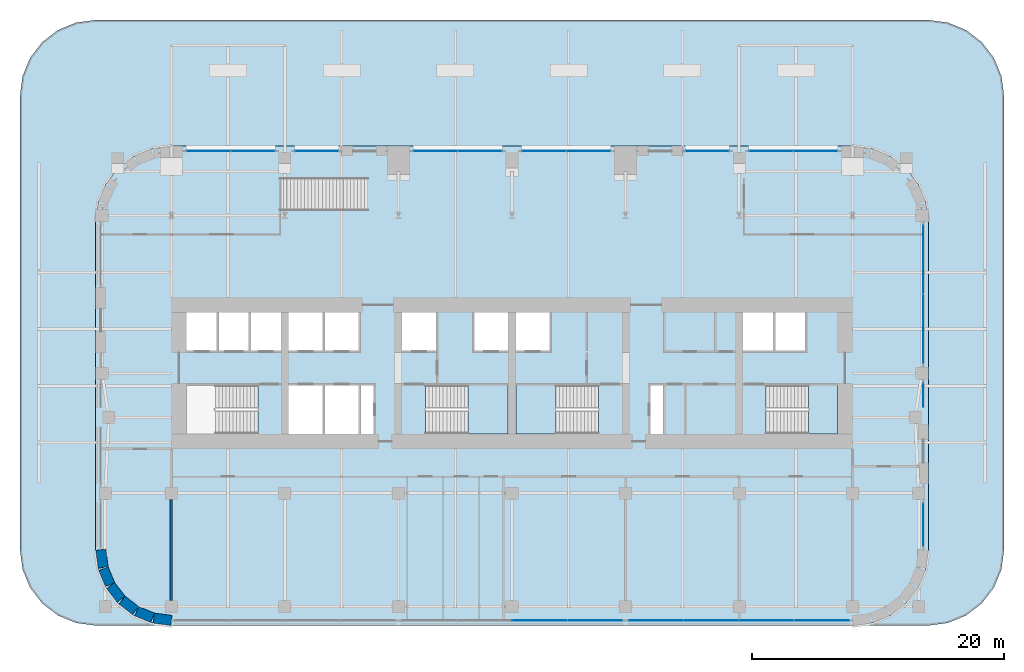
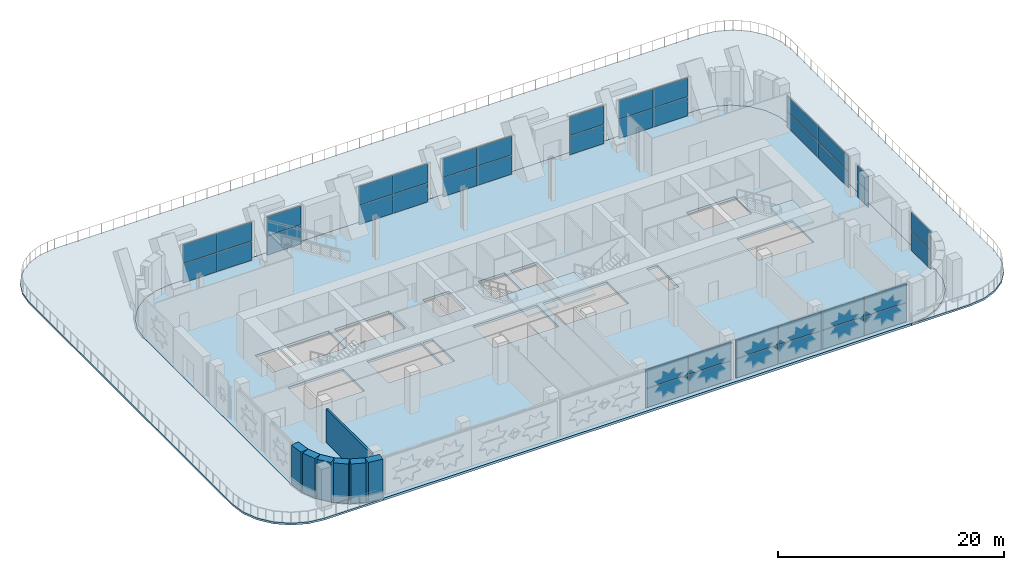
# One storey, part 13 of 26: 40 plates, 7 walls, 5 slabs, 14 elements without a shape of their own.
"""IFC4 building model written with IfcOpenShell, lengths in metres."""

from ifc_helpers import new_model, si_unit, direction, frame, frame_2d, origin, origin_2d, place, context, subcontext, project, spatial, polyline, rectangle, outline, extrude, material, layer, layer_set, type_object, element, aggregate, save


model = new_model("IFC4")

# Units and contexts
model_context = context("Model", 3, precision=1e-05, world=origin(), true_north=direction((0.0, 1.0)))
body_context = subcontext(model_context, "Body", "Model", "MODEL_VIEW")
ifc_project = project(units=[si_unit("LENGTHUNIT", "METRE"), si_unit("AREAUNIT", "SQUARE_METRE"), si_unit("VOLUMEUNIT", "CUBIC_METRE"), si_unit("PLANEANGLEUNIT", "RADIAN"), si_unit("MASSUNIT", "GRAM", prefix="KILO")], contexts=[model_context])

# Site, building, storey
site_placement = place(None, origin())
site = spatial("IfcSite", under=ifc_project, at=site_placement, CompositionType="ELEMENT")
building_placement = place(site_placement, origin())
building = spatial("IfcBuilding", under=site, at=building_placement, Name="Zellij Exchange Tower", CompositionType="ELEMENT")
storey_placement = place(building_placement, frame((0.0, 0.0, 39.0)))
storey = spatial("IfcBuildingStorey", under=building, at=storey_placement, Name="L06", CompositionType="ELEMENT", Elevation=39.0)

# Stair, slab
ifc_material_1 = material(Name="Concrete C40/50", Category="concrete")
stair_type = type_object("IfcStairType", Name="CORE-ST exit stair 1850 wide", PredefinedType="HALF_TURN_STAIR", material=ifc_material_1)
stair_1_placement = place(storey_placement, origin())
stair_1 = element("IfcStair", 1, at=stair_1_placement, inside=storey, type_object=stair_type, Name="L06 exit stair ST2", PredefinedType="HALF_TURN_STAIR")
ifc_layer_1 = layer(ifc_material_1, 0.199951171875)
ifc_layer_set_1 = layer_set([ifc_layer_1], Name="Concrete C40/50")
slab_type_1 = type_object("IfcSlabType", Name="CORE-SL stair landing 200", PredefinedType="LANDING", material=ifc_layer_set_1)
slab_1_placement = place(storey_placement, frame((0.0, 0.0, 2.050048828125)))
slab_1 = element("IfcSlab", 2, at=slab_1_placement, type_object=slab_type_1, Name="ST2 landing 1", PredefinedType="LANDING", context=body_context, shape_type="SweptSolid", body=[
    extrude(outline(polyline([(-3.489990234375, -12.800048828125), (-0.300048828125, -12.800048828125), (-0.300048828125, -8.949951171875), (-3.489990234375, -8.949951171875), (-3.489990234375, -12.800048828125)])), origin(), (0.0, 0.0, 1.0), 0.199951171875),
])
aggregate(stair_1, [slab_1])

stair_2_placement = place(storey_placement, origin())
stair_2 = element("IfcStair", 3, at=stair_2_placement, inside=storey, type_object=stair_type, Name="L06 exit stair ST3", PredefinedType="HALF_TURN_STAIR")
slab_2_placement = place(storey_placement, frame((0.0, 0.0, 2.050048828125)))
slab_2 = element("IfcSlab", 4, at=slab_2_placement, type_object=slab_type_1, Name="ST3 landing 1", PredefinedType="LANDING", context=body_context, shape_type="SweptSolid", body=[
    extrude(outline(polyline([(3.489990234375, -8.949951171875), (0.300048828125, -8.949951171875), (0.300048828125, -12.800048828125), (3.489990234375, -12.800048828125), (3.489990234375, -8.949951171875)])), origin(), (0.0, 0.0, 1.0), 0.199951171875),
])
aggregate(stair_2, [slab_2])

stair_3_placement = place(storey_placement, origin())
stair_3 = element("IfcStair", 5, at=stair_3_placement, inside=storey, type_object=stair_type, Name="L06 exit stair ST4", PredefinedType="HALF_TURN_STAIR")
slab_3_placement = place(storey_placement, frame((0.0, 0.0, 2.050048828125)))
slab_3 = element("IfcSlab", 6, at=slab_3_placement, type_object=slab_type_1, Name="ST4 landing 1", PredefinedType="LANDING", context=body_context, shape_type="SweptSolid", body=[
    extrude(outline(polyline([(23.510009765625, -12.800048828125), (25.800048828125, -12.800048828125), (25.800048828125, -8.949951171875), (23.510009765625, -8.949951171875), (23.510009765625, -12.800048828125)])), origin(), (0.0, 0.0, 1.0), 0.199951171875),
])
aggregate(stair_3, [slab_3])

# Curtain wall, plates
ifc_material_2 = material(Name="Aluminium frame, clear insulating glass", Category="aluminium")
curtain_wall_type = type_object("IfcCurtainWallType", Name="ENV-CW1 Sky-garden glazing", PredefinedType="NOTDEFINED", material=ifc_material_2)
curtain_wall_1_placement = place(storey_placement, origin())
curtain_wall_1 = element("IfcCurtainWall", 7, at=curtain_wall_1_placement, inside=storey, type_object=curtain_wall_type, Name="cw.L06.00b", PredefinedType="NOTDEFINED")
ifc_material_3 = material(Name="Insulating glass unit, clear", Category="glass")
ifc_layer_2 = layer(ifc_material_3, 0.031982421875)
ifc_layer_set_2 = layer_set([ifc_layer_2], Name="Insulating glass unit, clear")
plate_type = type_object("IfcPlateType", Name="ENV-CW1P Glazed panel 32", PredefinedType="CURTAIN_PANEL", material=ifc_layer_set_2)
plate_1_placement = place(storey_placement, frame((2.199951171875, -27.60009765625, 0.06005859375), z_axis=(0.0, 0.0, 1.0), x_axis=(1.0, 0.0, 0.0)))
plate_1 = element("IfcPlate", 8, at=plate_1_placement, type_object=plate_type, Name="CW1 panel 3.1", PredefinedType="CURTAIN_PANEL", context=body_context, shape_type="SweptSolid", body=[
    extrude(rectangle(XDim=4.340087890625, YDim=0.031982421875, at=origin_2d()), origin(), (0.0, 0.0, 1.0), 2.034912109375),
])
plate_2_placement = place(storey_placement, frame((2.199951171875, -27.60009765625, 2.1552734375), z_axis=(0.0, 0.0, 1.0), x_axis=(1.0, 0.0, 0.0)))
plate_2 = element("IfcPlate", 9, at=plate_2_placement, type_object=plate_type, Name="CW1 panel 3.2", PredefinedType="CURTAIN_PANEL", context=body_context, shape_type="SweptSolid", body=[
    extrude(rectangle(XDim=4.340087890625, YDim=0.031982421875, at=origin_2d()), origin(), (0.0, 0.0, 1.0), 2.034912109375),
])
plate_3_placement = place(storey_placement, frame((6.5849609375, -27.60009765625, 0.06005859375), z_axis=(0.0, 0.0, 1.0), x_axis=(1.0, 0.0, 0.0)))
plate_3 = element("IfcPlate", 10, at=plate_3_placement, type_object=plate_type, Name="CW1 panel 4.1", PredefinedType="CURTAIN_PANEL", context=body_context, shape_type="SweptSolid", body=[
    extrude(rectangle(XDim=4.31005859375, YDim=0.031982421875, at=origin_2d()), origin(), (0.0, 0.0, 1.0), 2.034912109375),
])
plate_4_placement = place(storey_placement, frame((6.5849609375, -27.60009765625, 2.1552734375), z_axis=(0.0, 0.0, 1.0), x_axis=(1.0, 0.0, 0.0)))
plate_4 = element("IfcPlate", 11, at=plate_4_placement, type_object=plate_type, Name="CW1 panel 4.2", PredefinedType="CURTAIN_PANEL", context=body_context, shape_type="SweptSolid", body=[
    extrude(rectangle(XDim=4.31005859375, YDim=0.031982421875, at=origin_2d()), origin(), (0.0, 0.0, 1.0), 2.034912109375),
])
aggregate(curtain_wall_1, [plate_1, plate_2, plate_3, plate_4])

curtain_wall_2_placement = place(storey_placement, origin())
curtain_wall_2 = element("IfcCurtainWall", 12, at=curtain_wall_2_placement, inside=storey, type_object=curtain_wall_type, Name="cw.L06.00c", PredefinedType="NOTDEFINED")
plate_5_placement = place(storey_placement, frame((11.41162109375, -27.60009765625, 0.06005859375), z_axis=(0.0, 0.0, 1.0), x_axis=(1.0, 0.0, 0.0)))
plate_5 = element("IfcPlate", 13, at=plate_5_placement, type_object=plate_type, Name="CW1 panel 1.1", PredefinedType="CURTAIN_PANEL", context=body_context, shape_type="SweptSolid", body=[
    extrude(rectangle(XDim=4.303466796875, YDim=0.031982421875, at=origin_2d()), origin(), (0.0, 0.0, 1.0), 2.034912109375),
])
plate_6_placement = place(storey_placement, frame((11.41162109375, -27.60009765625, 2.1552734375), z_axis=(0.0, 0.0, 1.0), x_axis=(1.0, 0.0, 0.0)))
plate_6 = element("IfcPlate", 14, at=plate_6_placement, type_object=plate_type, Name="CW1 panel 1.2", PredefinedType="CURTAIN_PANEL", context=body_context, shape_type="SweptSolid", body=[
    extrude(rectangle(XDim=4.303466796875, YDim=0.031982421875, at=origin_2d()), origin(), (0.0, 0.0, 1.0), 2.034912109375),
])
plate_7_placement = place(storey_placement, frame((15.790283203125, -27.60009765625, 0.06005859375), z_axis=(0.0, 0.0, 1.0), x_axis=(1.0, 0.0, 0.0)))
plate_7 = element("IfcPlate", 15, at=plate_7_placement, type_object=plate_type, Name="CW1 panel 2.1", PredefinedType="CURTAIN_PANEL", context=body_context, shape_type="SweptSolid", body=[
    extrude(rectangle(XDim=4.33349609375, YDim=0.031982421875, at=origin_2d()), origin(), (0.0, 0.0, 1.0), 2.034912109375),
])
plate_8_placement = place(storey_placement, frame((15.790283203125, -27.60009765625, 2.1552734375), z_axis=(0.0, 0.0, 1.0), x_axis=(1.0, 0.0, 0.0)))
plate_8 = element("IfcPlate", 16, at=plate_8_placement, type_object=plate_type, Name="CW1 panel 2.2", PredefinedType="CURTAIN_PANEL", context=body_context, shape_type="SweptSolid", body=[
    extrude(rectangle(XDim=4.33349609375, YDim=0.031982421875, at=origin_2d()), origin(), (0.0, 0.0, 1.0), 2.034912109375),
])
plate_9_placement = place(storey_placement, frame((20.18359375, -27.60009765625, 0.06005859375), z_axis=(0.0, 0.0, 1.0), x_axis=(1.0, 0.0, 0.0)))
plate_9 = element("IfcPlate", 17, at=plate_9_placement, type_object=plate_type, Name="CW1 panel 3.1", PredefinedType="CURTAIN_PANEL", context=body_context, shape_type="SweptSolid", body=[
    extrude(rectangle(XDim=4.33349609375, YDim=0.031982421875, at=origin_2d()), origin(), (0.0, 0.0, 1.0), 2.034912109375),
])
plate_10_placement = place(storey_placement, frame((20.18359375, -27.60009765625, 2.1552734375), z_axis=(0.0, 0.0, 1.0), x_axis=(1.0, 0.0, 0.0)))
plate_10 = element("IfcPlate", 18, at=plate_10_placement, type_object=plate_type, Name="CW1 panel 3.2", PredefinedType="CURTAIN_PANEL", context=body_context, shape_type="SweptSolid", body=[
    extrude(rectangle(XDim=4.33349609375, YDim=0.031982421875, at=origin_2d()), origin(), (0.0, 0.0, 1.0), 2.034912109375),
])
plate_11_placement = place(storey_placement, frame((24.56201171875, -27.60009765625, 0.06005859375), z_axis=(0.0, 0.0, 1.0), x_axis=(1.0, 0.0, 0.0)))
plate_11 = element("IfcPlate", 19, at=plate_11_placement, type_object=plate_type, Name="CW1 panel 4.1", PredefinedType="CURTAIN_PANEL", context=body_context, shape_type="SweptSolid", body=[
    extrude(rectangle(XDim=4.303466796875, YDim=0.031982421875, at=origin_2d()), origin(), (0.0, 0.0, 1.0), 2.034912109375),
])
plate_12_placement = place(storey_placement, frame((24.56201171875, -27.60009765625, 2.1552734375), z_axis=(0.0, 0.0, 1.0), x_axis=(1.0, 0.0, 0.0)))
plate_12 = element("IfcPlate", 20, at=plate_12_placement, type_object=plate_type, Name="CW1 panel 4.2", PredefinedType="CURTAIN_PANEL", context=body_context, shape_type="SweptSolid", body=[
    extrude(rectangle(XDim=4.303466796875, YDim=0.031982421875, at=origin_2d()), origin(), (0.0, 0.0, 1.0), 2.034912109375),
])
aggregate(curtain_wall_2, [plate_5, plate_6, plate_7, plate_8, plate_9, plate_10, plate_11, plate_12])

curtain_wall_3_placement = place(storey_placement, origin())
curtain_wall_3 = element("IfcCurtainWall", 21, at=curtain_wall_3_placement, inside=storey, type_object=curtain_wall_type, Name="cw.L06.07a", PredefinedType="NOTDEFINED")
plate_13_placement = place(storey_placement, frame((32.60009765625, -20.011962890625, 0.06005859375), z_axis=(0.0, 0.0, 1.0), x_axis=(0.0, 1.0, 0.0)))
plate_13 = element("IfcPlate", 22, at=plate_13_placement, type_object=plate_type, Name="CW1 panel 1.1", PredefinedType="CURTAIN_PANEL", context=body_context, shape_type="SweptSolid", body=[
    extrude(rectangle(XDim=3.40380859375, YDim=0.031982421875, at=origin_2d()), origin(), (0.0, 0.0, 1.0), 2.034912109375),
])
plate_14_placement = place(storey_placement, frame((32.60009765625, -20.011962890625, 2.1552734375), z_axis=(0.0, 0.0, 1.0), x_axis=(0.0, 1.0, 0.0)))
plate_14 = element("IfcPlate", 23, at=plate_14_placement, type_object=plate_type, Name="CW1 panel 1.2", PredefinedType="CURTAIN_PANEL", context=body_context, shape_type="SweptSolid", body=[
    extrude(rectangle(XDim=3.40380859375, YDim=0.031982421875, at=origin_2d()), origin(), (0.0, 0.0, 1.0), 2.034912109375),
])
aggregate(curtain_wall_3, [plate_13, plate_14])

curtain_wall_4_placement = place(storey_placement, origin())
curtain_wall_4 = element("IfcCurtainWall", 24, at=curtain_wall_4_placement, inside=storey, type_object=curtain_wall_type, Name="cw.L06.07c", PredefinedType="NOTDEFINED")
plate_15_placement = place(storey_placement, frame((32.60009765625, -9.75, 0.06005859375), z_axis=(0.0, 0.0, 1.0), x_axis=(0.0, 1.0, 0.0)))
plate_15 = element("IfcPlate", 25, at=plate_15_placement, type_object=plate_type, Name="CW1 panel 1.1", PredefinedType="CURTAIN_PANEL", context=body_context, shape_type="SweptSolid", body=[
    extrude(rectangle(XDim=1.8798828125, YDim=0.031982421875, at=origin_2d()), origin(), (0.0, 0.0, 1.0), 1.69091796875),
])
plate_16_placement = place(storey_placement, frame((32.60009765625, -9.75, 1.810791015625), z_axis=(0.0, 0.0, 1.0), x_axis=(0.0, 1.0, 0.0)))
plate_16 = element("IfcPlate", 26, at=plate_16_placement, type_object=plate_type, Name="CW1 panel 1.2", PredefinedType="CURTAIN_PANEL", context=body_context, shape_type="SweptSolid", body=[
    extrude(rectangle(XDim=1.8798828125, YDim=0.031982421875, at=origin_2d()), origin(), (0.0, 0.0, 1.0), 1.69091796875),
])
aggregate(curtain_wall_4, [plate_15, plate_16])

curtain_wall_5_placement = place(storey_placement, origin())
curtain_wall_5 = element("IfcCurtainWall", 27, at=curtain_wall_5_placement, inside=storey, type_object=curtain_wall_type, Name="cw.L06.07d", PredefinedType="NOTDEFINED")
plate_17_placement = place(storey_placement, frame((32.60009765625, -4.47900390625, 0.06005859375), z_axis=(0.0, 0.0, 1.0), x_axis=(0.0, 1.0, 0.0)))
plate_17 = element("IfcPlate", 28, at=plate_17_placement, type_object=plate_type, Name="CW1 panel 1.1", PredefinedType="CURTAIN_PANEL", context=body_context, shape_type="SweptSolid", body=[
    extrude(rectangle(XDim=5.421875, YDim=0.031982421875, at=origin_2d()), origin(), (0.0, 0.0, 1.0), 1.69091796875),
])
plate_18_placement = place(storey_placement, frame((32.60009765625, -4.47900390625, 1.810791015625), z_axis=(0.0, 0.0, 1.0), x_axis=(0.0, 1.0, 0.0)))
plate_18 = element("IfcPlate", 29, at=plate_18_placement, type_object=plate_type, Name="CW1 panel 1.2", PredefinedType="CURTAIN_PANEL", context=body_context, shape_type="SweptSolid", body=[
    extrude(rectangle(XDim=5.421875, YDim=0.031982421875, at=origin_2d()), origin(), (0.0, 0.0, 1.0), 1.69091796875),
])
plate_19_placement = place(storey_placement, frame((32.60009765625, 1.0029296875, 0.06005859375), z_axis=(0.0, 0.0, 1.0), x_axis=(0.0, 1.0, 0.0)))
plate_19 = element("IfcPlate", 30, at=plate_19_placement, type_object=plate_type, Name="CW1 panel 2.1", PredefinedType="CURTAIN_PANEL", context=body_context, shape_type="SweptSolid", body=[
    extrude(rectangle(XDim=5.421875, YDim=0.031982421875, at=origin_2d()), origin(), (0.0, 0.0, 1.0), 1.69091796875),
])
plate_20_placement = place(storey_placement, frame((32.60009765625, 1.0029296875, 1.810791015625), z_axis=(0.0, 0.0, 1.0), x_axis=(0.0, 1.0, 0.0)))
plate_20 = element("IfcPlate", 31, at=plate_20_placement, type_object=plate_type, Name="CW1 panel 2.2", PredefinedType="CURTAIN_PANEL", context=body_context, shape_type="SweptSolid", body=[
    extrude(rectangle(XDim=5.421875, YDim=0.031982421875, at=origin_2d()), origin(), (0.0, 0.0, 1.0), 1.69091796875),
])
aggregate(curtain_wall_5, [plate_17, plate_18, plate_19, plate_20])

curtain_wall_6_placement = place(storey_placement, origin())
curtain_wall_6 = element("IfcCurtainWall", 32, at=curtain_wall_6_placement, inside=storey, type_object=curtain_wall_type, Name="cw.L06.14a", PredefinedType="NOTDEFINED")
plate_21_placement = place(storey_placement, frame((24.06005859375, 9.60009765625, 0.06005859375), z_axis=(0.0, 0.0, 1.0), x_axis=(-1.0, 0.0, 0.0)))
plate_21 = element("IfcPlate", 33, at=plate_21_placement, type_object=plate_type, Name="CW1 panel 1.1", PredefinedType="CURTAIN_PANEL", context=body_context, shape_type="SweptSolid", body=[
    extrude(rectangle(XDim=3.4599609375, YDim=0.031982421875, at=origin_2d()), origin(), (0.0, 0.0, 1.0), 2.034912109375),
])
plate_22_placement = place(storey_placement, frame((24.06005859375, 9.60009765625, 2.1552734375), z_axis=(0.0, 0.0, 1.0), x_axis=(-1.0, 0.0, 0.0)))
plate_22 = element("IfcPlate", 34, at=plate_22_placement, type_object=plate_type, Name="CW1 panel 1.2", PredefinedType="CURTAIN_PANEL", context=body_context, shape_type="SweptSolid", body=[
    extrude(rectangle(XDim=3.4599609375, YDim=0.031982421875, at=origin_2d()), origin(), (0.0, 0.0, 1.0), 2.034912109375),
])
plate_23_placement = place(storey_placement, frame((20.5400390625, 9.60009765625, 0.06005859375), z_axis=(0.0, 0.0, 1.0), x_axis=(-1.0, 0.0, 0.0)))
plate_23 = element("IfcPlate", 35, at=plate_23_placement, type_object=plate_type, Name="CW1 panel 2.1", PredefinedType="CURTAIN_PANEL", context=body_context, shape_type="SweptSolid", body=[
    extrude(rectangle(XDim=3.4599609375, YDim=0.031982421875, at=origin_2d()), origin(), (0.0, 0.0, 1.0), 2.034912109375),
])
plate_24_placement = place(storey_placement, frame((20.5400390625, 9.60009765625, 2.1552734375), z_axis=(0.0, 0.0, 1.0), x_axis=(-1.0, 0.0, 0.0)))
plate_24 = element("IfcPlate", 36, at=plate_24_placement, type_object=plate_type, Name="CW1 panel 2.2", PredefinedType="CURTAIN_PANEL", context=body_context, shape_type="SweptSolid", body=[
    extrude(rectangle(XDim=3.4599609375, YDim=0.031982421875, at=origin_2d()), origin(), (0.0, 0.0, 1.0), 2.034912109375),
])
aggregate(curtain_wall_6, [plate_21, plate_22, plate_23, plate_24])

curtain_wall_7_placement = place(storey_placement, origin())
curtain_wall_7 = element("IfcCurtainWall", 37, at=curtain_wall_7_placement, inside=storey, type_object=curtain_wall_type, Name="cw.L06.14b", PredefinedType="NOTDEFINED")
plate_25_placement = place(storey_placement, frame((15.47509765625, 9.60009765625, 0.06005859375), z_axis=(0.0, 0.0, 1.0), x_axis=(-1.0, 0.0, 0.0)))
plate_25 = element("IfcPlate", 38, at=plate_25_placement, type_object=plate_type, Name="CW1 panel 1.1", PredefinedType="CURTAIN_PANEL", context=body_context, shape_type="SweptSolid", body=[
    extrude(rectangle(XDim=3.429931640625, YDim=0.031982421875, at=origin_2d()), origin(), (0.0, 0.0, 1.0), 2.034912109375),
])
plate_26_placement = place(storey_placement, frame((15.47509765625, 9.60009765625, 2.1552734375), z_axis=(0.0, 0.0, 1.0), x_axis=(-1.0, 0.0, 0.0)))
plate_26 = element("IfcPlate", 39, at=plate_26_placement, type_object=plate_type, Name="CW1 panel 1.2", PredefinedType="CURTAIN_PANEL", context=body_context, shape_type="SweptSolid", body=[
    extrude(rectangle(XDim=3.429931640625, YDim=0.031982421875, at=origin_2d()), origin(), (0.0, 0.0, 1.0), 2.034912109375),
])
aggregate(curtain_wall_7, [plate_25, plate_26])

curtain_wall_8_placement = place(storey_placement, origin())
curtain_wall_8 = element("IfcCurtainWall", 40, at=curtain_wall_8_placement, inside=storey, type_object=curtain_wall_type, Name="cw.L06.14d", PredefinedType="NOTDEFINED")
plate_27_placement = place(storey_placement, frame((6.06005859375, 9.60009765625, 0.06005859375), z_axis=(0.0, 0.0, 1.0), x_axis=(-1.0, 0.0, 0.0)))
plate_27 = element("IfcPlate", 41, at=plate_27_placement, type_object=plate_type, Name="CW1 panel 1.1", PredefinedType="CURTAIN_PANEL", context=body_context, shape_type="SweptSolid", body=[
    extrude(rectangle(XDim=3.4599609375, YDim=0.031982421875, at=origin_2d()), origin(), (0.0, 0.0, 1.0), 2.034912109375),
])
plate_28_placement = place(storey_placement, frame((6.06005859375, 9.60009765625, 2.1552734375), z_axis=(0.0, 0.0, 1.0), x_axis=(-1.0, 0.0, 0.0)))
plate_28 = element("IfcPlate", 42, at=plate_28_placement, type_object=plate_type, Name="CW1 panel 1.2", PredefinedType="CURTAIN_PANEL", context=body_context, shape_type="SweptSolid", body=[
    extrude(rectangle(XDim=3.4599609375, YDim=0.031982421875, at=origin_2d()), origin(), (0.0, 0.0, 1.0), 2.034912109375),
])
plate_29_placement = place(storey_placement, frame((2.5400390625, 9.60009765625, 0.06005859375), z_axis=(0.0, 0.0, 1.0), x_axis=(-1.0, 0.0, 0.0)))
plate_29 = element("IfcPlate", 43, at=plate_29_placement, type_object=plate_type, Name="CW1 panel 2.1", PredefinedType="CURTAIN_PANEL", context=body_context, shape_type="SweptSolid", body=[
    extrude(rectangle(XDim=3.4599609375, YDim=0.031982421875, at=origin_2d()), origin(), (0.0, 0.0, 1.0), 2.034912109375),
])
plate_30_placement = place(storey_placement, frame((2.5400390625, 9.60009765625, 2.1552734375), z_axis=(0.0, 0.0, 1.0), x_axis=(-1.0, 0.0, 0.0)))
plate_30 = element("IfcPlate", 44, at=plate_30_placement, type_object=plate_type, Name="CW1 panel 2.2", PredefinedType="CURTAIN_PANEL", context=body_context, shape_type="SweptSolid", body=[
    extrude(rectangle(XDim=3.4599609375, YDim=0.031982421875, at=origin_2d()), origin(), (0.0, 0.0, 1.0), 2.034912109375),
])
aggregate(curtain_wall_8, [plate_27, plate_28, plate_29, plate_30])

curtain_wall_9_placement = place(storey_placement, origin())
curtain_wall_9 = element("IfcCurtainWall", 45, at=curtain_wall_9_placement, inside=storey, type_object=curtain_wall_type, Name="cw.L06.14e", PredefinedType="NOTDEFINED")
plate_31_placement = place(storey_placement, frame((-2.5400390625, 9.60009765625, 0.06005859375), z_axis=(0.0, 0.0, 1.0), x_axis=(-1.0, 0.0, 0.0)))
plate_31 = element("IfcPlate", 46, at=plate_31_placement, type_object=plate_type, Name="CW1 panel 1.1", PredefinedType="CURTAIN_PANEL", context=body_context, shape_type="SweptSolid", body=[
    extrude(rectangle(XDim=3.4599609375, YDim=0.031982421875, at=origin_2d()), origin(), (0.0, 0.0, 1.0), 2.034912109375),
])
plate_32_placement = place(storey_placement, frame((-2.5400390625, 9.60009765625, 2.1552734375), z_axis=(0.0, 0.0, 1.0), x_axis=(-1.0, 0.0, 0.0)))
plate_32 = element("IfcPlate", 47, at=plate_32_placement, type_object=plate_type, Name="CW1 panel 1.2", PredefinedType="CURTAIN_PANEL", context=body_context, shape_type="SweptSolid", body=[
    extrude(rectangle(XDim=3.4599609375, YDim=0.031982421875, at=origin_2d()), origin(), (0.0, 0.0, 1.0), 2.034912109375),
])
plate_33_placement = place(storey_placement, frame((-6.06005859375, 9.60009765625, 0.06005859375), z_axis=(0.0, 0.0, 1.0), x_axis=(-1.0, 0.0, 0.0)))
plate_33 = element("IfcPlate", 48, at=plate_33_placement, type_object=plate_type, Name="CW1 panel 2.1", PredefinedType="CURTAIN_PANEL", context=body_context, shape_type="SweptSolid", body=[
    extrude(rectangle(XDim=3.4599609375, YDim=0.031982421875, at=origin_2d()), origin(), (0.0, 0.0, 1.0), 2.034912109375),
])
plate_34_placement = place(storey_placement, frame((-6.06005859375, 9.60009765625, 2.1552734375), z_axis=(0.0, 0.0, 1.0), x_axis=(-1.0, 0.0, 0.0)))
plate_34 = element("IfcPlate", 49, at=plate_34_placement, type_object=plate_type, Name="CW1 panel 2.2", PredefinedType="CURTAIN_PANEL", context=body_context, shape_type="SweptSolid", body=[
    extrude(rectangle(XDim=3.4599609375, YDim=0.031982421875, at=origin_2d()), origin(), (0.0, 0.0, 1.0), 2.034912109375),
])
aggregate(curtain_wall_9, [plate_31, plate_32, plate_33, plate_34])

curtain_wall_10_placement = place(storey_placement, origin())
curtain_wall_10 = element("IfcCurtainWall", 50, at=curtain_wall_10_placement, inside=storey, type_object=curtain_wall_type, Name="cw.L06.14g", PredefinedType="NOTDEFINED")
plate_35_placement = place(storey_placement, frame((-15.47509765625, 9.60009765625, 0.06005859375), z_axis=(0.0, 0.0, 1.0), x_axis=(-1.0, 0.0, 0.0)))
plate_35 = element("IfcPlate", 51, at=plate_35_placement, type_object=plate_type, Name="CW1 panel 1.1", PredefinedType="CURTAIN_PANEL", context=body_context, shape_type="SweptSolid", body=[
    extrude(rectangle(XDim=3.429931640625, YDim=0.031982421875, at=origin_2d()), origin(), (0.0, 0.0, 1.0), 2.034912109375),
])
plate_36_placement = place(storey_placement, frame((-15.47509765625, 9.60009765625, 2.1552734375), z_axis=(0.0, 0.0, 1.0), x_axis=(-1.0, 0.0, 0.0)))
plate_36 = element("IfcPlate", 52, at=plate_36_placement, type_object=plate_type, Name="CW1 panel 1.2", PredefinedType="CURTAIN_PANEL", context=body_context, shape_type="SweptSolid", body=[
    extrude(rectangle(XDim=3.429931640625, YDim=0.031982421875, at=origin_2d()), origin(), (0.0, 0.0, 1.0), 2.034912109375),
])
aggregate(curtain_wall_10, [plate_35, plate_36])

curtain_wall_11_placement = place(storey_placement, origin())
curtain_wall_11 = element("IfcCurtainWall", 53, at=curtain_wall_11_placement, inside=storey, type_object=curtain_wall_type, Name="cw.L06.14h", PredefinedType="NOTDEFINED")
plate_37_placement = place(storey_placement, frame((-20.5400390625, 9.60009765625, 0.06005859375), z_axis=(0.0, 0.0, 1.0), x_axis=(-1.0, 0.0, 0.0)))
plate_37 = element("IfcPlate", 54, at=plate_37_placement, type_object=plate_type, Name="CW1 panel 1.1", PredefinedType="CURTAIN_PANEL", context=body_context, shape_type="SweptSolid", body=[
    extrude(rectangle(XDim=3.4599609375, YDim=0.031982421875, at=origin_2d()), origin(), (0.0, 0.0, 1.0), 2.034912109375),
])
plate_38_placement = place(storey_placement, frame((-20.5400390625, 9.60009765625, 2.1552734375), z_axis=(0.0, 0.0, 1.0), x_axis=(-1.0, 0.0, 0.0)))
plate_38 = element("IfcPlate", 55, at=plate_38_placement, type_object=plate_type, Name="CW1 panel 1.2", PredefinedType="CURTAIN_PANEL", context=body_context, shape_type="SweptSolid", body=[
    extrude(rectangle(XDim=3.4599609375, YDim=0.031982421875, at=origin_2d()), origin(), (0.0, 0.0, 1.0), 2.034912109375),
])
plate_39_placement = place(storey_placement, frame((-24.06005859375, 9.60009765625, 0.06005859375), z_axis=(0.0, 0.0, 1.0), x_axis=(-1.0, 0.0, 0.0)))
plate_39 = element("IfcPlate", 56, at=plate_39_placement, type_object=plate_type, Name="CW1 panel 2.1", PredefinedType="CURTAIN_PANEL", context=body_context, shape_type="SweptSolid", body=[
    extrude(rectangle(XDim=3.4599609375, YDim=0.031982421875, at=origin_2d()), origin(), (0.0, 0.0, 1.0), 2.034912109375),
])
plate_40_placement = place(storey_placement, frame((-24.06005859375, 9.60009765625, 2.1552734375), z_axis=(0.0, 0.0, 1.0), x_axis=(-1.0, 0.0, 0.0)))
plate_40 = element("IfcPlate", 57, at=plate_40_placement, type_object=plate_type, Name="CW1 panel 2.2", PredefinedType="CURTAIN_PANEL", context=body_context, shape_type="SweptSolid", body=[
    extrude(rectangle(XDim=3.4599609375, YDim=0.031982421875, at=origin_2d()), origin(), (0.0, 0.0, 1.0), 2.034912109375),
])
aggregate(curtain_wall_11, [plate_37, plate_38, plate_39, plate_40])

# Slabs
ifc_layer_3 = layer(ifc_material_1, 0.25)
ifc_layer_set_3 = layer_set([ifc_layer_3], Name="Concrete C40/50")
slab_type_2 = type_object("IfcSlabType", Name="ENV-TERRACE SLAB 250 C40/50", PredefinedType="FLOOR", material=ifc_layer_set_3)
slab_4_placement = place(storey_placement, frame((0.0, 0.0, -0.25)))
element("IfcSlab", 58, at=slab_4_placement, inside=storey, type_object=slab_type_2, Name="Terrace slab L06", PredefinedType="FLOOR", context=body_context, shape_type="SweptSolid", body=[
    extrude(outline(polyline([(-31.24267578125, -26.24267578125), (-32.1962890625, -25.0), (-32.795654296875, -23.552978515625), (-33.0, -22.0), (-33.0, 4.0), (-32.795654296875, 5.552978515625), (-32.1962890625, 7.0), (-31.24267578125, 8.24267578125), (-30.0, 9.1962890625), (-28.552978515625, 9.795654296875), (-27.0, 10.0), (27.0, 10.0), (28.552978515625, 9.795654296875), (30.0, 9.1962890625), (31.24267578125, 8.24267578125), (32.1962890625, 7.0), (32.795654296875, 5.552978515625), (33.0, 4.0), (33.0, -22.0), (32.795654296875, -23.552978515625), (32.1962890625, -25.0), (31.24267578125, -26.24267578125), (30.0, -27.1962890625), (28.552978515625, -27.795654296875), (27.0, -28.0), (33.0, -28.0), (34.552978515625, -27.795654296875), (36.0, -27.1962890625), (37.24267578125, -26.24267578125), (38.1962890625, -25.0), (38.795654296875, -23.552978515625), (39.0, -22.0), (39.0, 14.0), (38.795654296875, 15.552978515625), (38.1962890625, 17.0), (37.24267578125, 18.24267578125), (36.0, 19.1962890625), (34.552978515625, 19.795654296875), (33.0, 20.0), (-33.0, 20.0), (-34.552978515625, 19.795654296875), (-36.0, 19.1962890625), (-37.24267578125, 18.24267578125), (-38.1962890625, 17.0), (-38.795654296875, 15.552978515625), (-39.0, 14.0), (-39.0, -22.0), (-38.795654296875, -23.552978515625), (-38.1962890625, -25.0), (-37.24267578125, -26.24267578125), (-36.0, -27.1962890625), (-34.552978515625, -27.795654296875), (-33.0, -28.0), (-27.0, -28.0), (-28.552978515625, -27.795654296875), (-30.0, -27.1962890625), (-31.24267578125, -26.24267578125)])), origin(), (0.0, 0.0, 1.0), 0.2099609375),
])
ifc_layer_4 = layer(ifc_material_1, 0.25)
ifc_layer_set_4 = layer_set([ifc_layer_4], Name="Concrete C40/50")
slab_type_3 = type_object("IfcSlabType", Name="STR-FLOOR SLAB 250 C40/50", PredefinedType="FLOOR", material=ifc_layer_set_4)
slab_5_placement = place(storey_placement, frame((0.0, 0.0, -0.25)))
element("IfcSlab", 59, at=slab_5_placement, inside=storey, type_object=slab_type_3, Name="Floor L06", PredefinedType="FLOOR", context=body_context, shape_type="SweptSolid", body=[
    extrude(outline(polyline([(-27.0, -28.0), (-28.552978515625, -27.795654296875), (-30.0, -27.1962890625), (-31.24267578125, -26.24267578125), (-32.1962890625, -25.0), (-32.795654296875, -23.552978515625), (-33.0, -22.0), (-33.0, 4.0), (-32.795654296875, 5.552978515625), (-32.1962890625, 7.0), (-31.24267578125, 8.24267578125), (-30.0, 9.1962890625), (-28.552978515625, 9.795654296875), (-27.0, 10.0), (27.0, 10.0), (28.552978515625, 9.795654296875), (30.0, 9.1962890625), (31.24267578125, 8.24267578125), (32.1962890625, 7.0), (32.795654296875, 5.552978515625), (33.0, 4.0), (33.0, -22.0), (32.795654296875, -23.552978515625), (32.1962890625, -25.0), (31.24267578125, -26.24267578125), (30.0, -27.1962890625), (28.552978515625, -27.795654296875), (27.0, -28.0), (-27.0, -28.0)]), holes=[polyline([(-25.800048828125, -8.949951171875), (-25.800048828125, -12.800048828125), (-20.153076171875, -12.800048828125), (-20.153076171875, -8.949951171875), (-25.800048828125, -8.949951171875)]), polyline([(-12.14990234375, -8.949951171875), (-17.699951171875, -8.949951171875), (-17.699951171875, -12.800048828125), (-12.14990234375, -12.800048828125), (-12.14990234375, -8.949951171875)]), polyline([(-10.949951171875, -8.949951171875), (-12.0, -8.949951171875), (-12.0, -12.800048828125), (-10.949951171875, -12.800048828125), (-10.949951171875, -8.949951171875)]), polyline([(-23.39990234375, -3.199951171875), (-25.800048828125, -3.199951171875), (-25.800048828125, -6.22509765625), (-23.39990234375, -6.22509765625), (-23.39990234375, -3.199951171875)]), polyline([(-18.300048828125, -3.199951171875), (-23.25, -3.199951171875), (-23.25, -6.22509765625), (-18.300048828125, -6.22509765625), (-18.300048828125, -3.199951171875)]), polyline([(-12.14990234375, -3.199951171875), (-17.699951171875, -3.199951171875), (-17.699951171875, -6.22509765625), (-12.14990234375, -6.22509765625), (-12.14990234375, -3.199951171875)]), polyline([(-6.0, -3.199951171875), (-8.699951171875, -3.199951171875), (-8.699951171875, -6.22509765625), (-6.0, -6.22509765625), (-6.0, -3.199951171875)]), polyline([(-6.846923828125, -8.949951171875), (-6.846923828125, -12.800048828125), (-0.300048828125, -12.800048828125), (-0.300048828125, -8.949951171875), (-6.846923828125, -8.949951171875)]), polyline([(6.846923828125, -8.949951171875), (0.300048828125, -8.949951171875), (0.300048828125, -12.800048828125), (6.846923828125, -12.800048828125), (6.846923828125, -8.949951171875)]), polyline([(12.0, -8.949951171875), (10.949951171875, -8.949951171875), (10.949951171875, -12.800048828125), (12.0, -12.800048828125), (12.0, -8.949951171875)]), polyline([(25.800048828125, -8.949951171875), (20.153076171875, -8.949951171875), (20.153076171875, -12.800048828125), (25.800048828125, -12.800048828125), (25.800048828125, -8.949951171875)]), polyline([(-0.300048828125, -3.199951171875), (-3.0, -3.199951171875), (-3.0, -6.22509765625), (-0.300048828125, -6.22509765625), (-0.300048828125, -3.199951171875)]), polyline([(3.0, -3.199951171875), (0.300048828125, -3.199951171875), (0.300048828125, -6.22509765625), (3.0, -6.22509765625), (3.0, -3.199951171875)]), polyline([(23.25, -3.199951171875), (18.300048828125, -3.199951171875), (18.300048828125, -6.22509765625), (23.25, -6.22509765625), (23.25, -3.199951171875)])]), origin(), (0.0, 0.0, 1.0), 0.25),
])

# Walls
ifc_material_4 = material(Name="Precast concrete C40/50", Category="concrete")
ifc_layer_5 = layer(ifc_material_4, 0.800048828125)
ifc_layer_set_5 = layer_set([ifc_layer_5], Name="Precast concrete C40/50")
wall_type_1 = type_object("IfcWallType", Name="ENV-EW1 Precast stone-piered wall 800", PredefinedType="SOLIDWALL", material=ifc_layer_set_5)
wall_1_placement = place(storey_placement, frame((-32.5966796875, -21.999755859375, 0.0), z_axis=(0.0, 0.0, 1.0), x_axis=(0.130517283865, -0.99144603414, 0.0)))
element("IfcWall", 60, at=wall_1_placement, inside=storey, type_object=wall_type_1, Name="fac.L06.22", PredefinedType="SOLIDWALL", context=body_context, shape_type="SweptSolid", body=[
    extrude(rectangle(XDim=1.408447265625, YDim=0.800048828125, at=frame_2d((0.7041015625, 0.0))), origin(), (0.0, 0.0, 1.0), 4.25),
])
wall_2_placement = place(storey_placement, frame((-32.3857421875, -23.497314453125, 0.0), z_axis=(0.0, 0.0, 1.0), x_axis=(0.38276009378, -0.923847774587, 0.0)))
element("IfcWall", 61, at=wall_2_placement, inside=storey, type_object=wall_type_1, Name="fac.L06.23", PredefinedType="SOLIDWALL", context=body_context, shape_type="SweptSolid", body=[
    extrude(rectangle(XDim=1.35546875, YDim=0.800048828125, at=frame_2d((0.677734375, 0.0))), origin(), (0.0, 0.0, 1.0), 4.25),
])
for number, where, z_axis, x_axis, name in (
    (62, (-31.814697265625, -24.840087890625, 0.0), (0.0, 0.0, 1.0), (0.608866226366, -0.793272915452, 0.0), "fac.L06.24"),
    (63, (-30.91552734375, -25.9892578125, 0.0), (0.0, 0.0, 1.0), (0.793272915452, -0.608866226366, 0.0), "fac.L06.25"),
):
    element("IfcWall", number, at=place(storey_placement, frame(where, z_axis=z_axis, x_axis=x_axis)), inside=storey, type_object=wall_type_1, Name=name, PredefinedType="SOLIDWALL", context=body_context, shape_type="SweptSolid", body=[
        extrude(rectangle(XDim=1.355712890625, YDim=0.800048828125, at=frame_2d((0.677734375, 0.0))), origin(), (0.0, 0.0, 1.0), 4.25),
    ])
wall_3_placement = place(storey_placement, frame((-29.74951171875, -26.866943359375, 0.0), z_axis=(0.0, 0.0, 1.0), x_axis=(0.923847774587, -0.38276009378, 0.0)))
element("IfcWall", 64, at=wall_3_placement, inside=storey, type_object=wall_type_1, Name="fac.L06.26", PredefinedType="SOLIDWALL", context=body_context, shape_type="SweptSolid", body=[
    extrude(rectangle(XDim=1.35546875, YDim=0.800048828125, at=frame_2d((0.677734375, 0.0))), origin(), (0.0, 0.0, 1.0), 4.25),
])
wall_4_placement = place(storey_placement, frame((-28.396240234375, -27.412841796875, 0.0), z_axis=(0.0, 0.0, 1.0), x_axis=(0.99144603414, -0.130517283865, 0.0)))
element("IfcWall", 65, at=wall_4_placement, inside=storey, type_object=wall_type_1, Name="fac.L06.27", PredefinedType="SOLIDWALL", context=body_context, shape_type="SweptSolid", body=[
    extrude(rectangle(XDim=1.408447265625, YDim=0.800048828125, at=frame_2d((0.7041015625, 0.0))), origin(), (0.0, 0.0, 1.0), 4.25),
])
ifc_material_5 = material(Name="Blockwork partition", Category="masonry")
ifc_layer_6 = layer(ifc_material_5, 0.199951171875)
ifc_layer_set_6 = layer_set([ifc_layer_6], Name="Blockwork partition")
wall_type_2 = type_object("IfcWallType", Name="FIT-BLOCKWORK-200", PredefinedType="PARTITIONING", material=ifc_layer_set_6)
wall_5_placement = place(storey_placement, frame((-27.0, -26.0, 0.0), z_axis=(0.0, 0.0, 1.0), x_axis=(0.0, 1.0, 0.0)))
element("IfcWall", 66, at=wall_5_placement, inside=storey, type_object=wall_type_2, Name="FIT-BLOCKWORK-200 010", PredefinedType="PARTITIONING", context=body_context, shape_type="SweptSolid", body=[
    extrude(rectangle(XDim=8.0, YDim=0.199951171875, at=frame_2d((4.0, 0.0))), origin(), (0.0, 0.0, 1.0), 3.637939453125),
])

save(model, "model.ifc")
